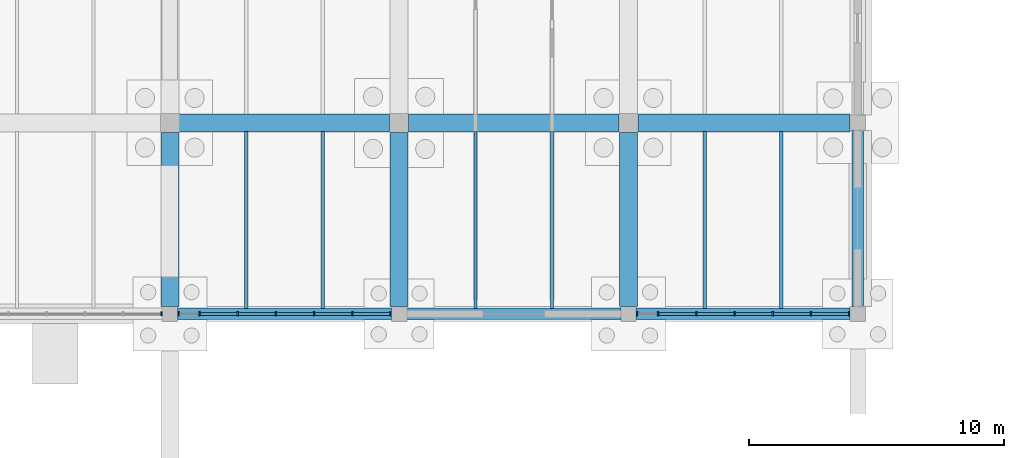
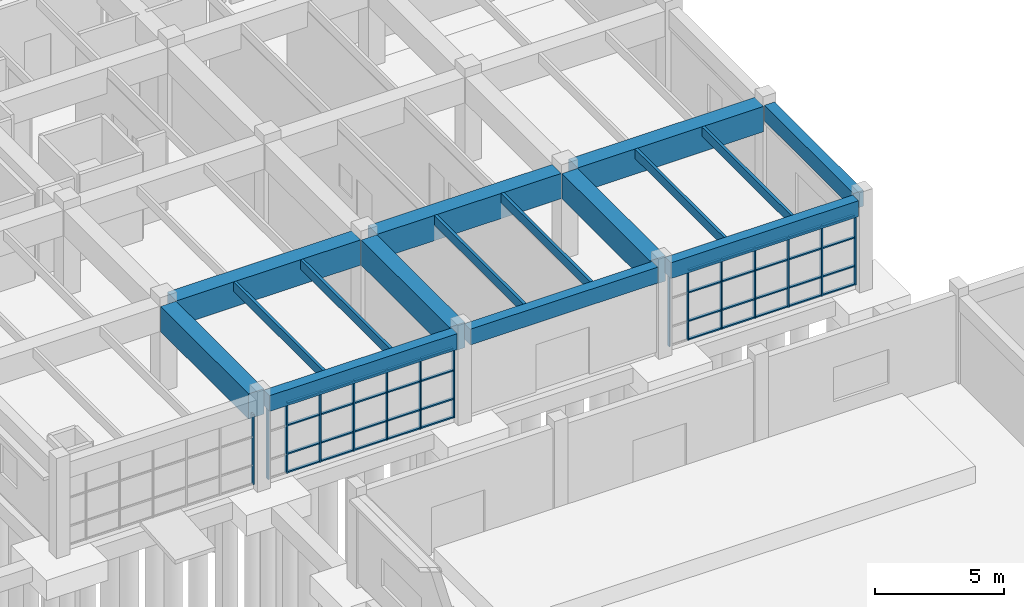
# One storey, part 25 of 93: 55 members, 16 beams, 3 elements without a shape of their own.
"""IFC4 building model written with IfcOpenShell, lengths in metres."""

from ifc_helpers import new_model, si_unit, direction, frame, origin, origin_2d, place, context, subcontext, project, spatial, rectangle, extrude, material, layer, layer_set, material_profile, profile_set, type_object, element, aggregate, save


model = new_model("IFC4")

# Units and contexts
model_context = context("Model", 3, precision=1e-05, world=origin(), true_north=direction((0.0, 1.0)))
body_context = subcontext(model_context, "Body", "Model", "MODEL_VIEW")
ifc_project = project(units=[si_unit("LENGTHUNIT", "METRE"), si_unit("AREAUNIT", "SQUARE_METRE"), si_unit("VOLUMEUNIT", "CUBIC_METRE"), si_unit("PLANEANGLEUNIT", "RADIAN"), si_unit("MASSUNIT", "GRAM", prefix="KILO")], contexts=[model_context])

# Site, building, storey
site_placement = place(None, origin())
site = spatial("IfcSite", under=ifc_project, at=site_placement, CompositionType="ELEMENT")
building_placement = place(site_placement, origin())
building = spatial("IfcBuilding", under=site, at=building_placement, Name="Marnridge Secondary College", CompositionType="ELEMENT")
storey_placement = place(building_placement, origin())
storey = spatial("IfcBuildingStorey", under=building, at=storey_placement, Name="L00", CompositionType="ELEMENT", Elevation=0.0)

# Beams
ifc_material_1 = material(Name="Engineered timber LVL E13.2", Category="wood")
ifc_material_profile_1 = material_profile(ifc_material_1, rectangle(XDim=0.1259765625, YDim=0.449951171875, at=origin_2d()), Name="LVL 126x450")
ifc_profile_set_1 = profile_set([ifc_material_profile_1], Name="Engineered timber LVL E13.2")
beam_type_1 = type_object("IfcBeamType", Name="BM-LVL450-INT", PredefinedType="JOIST", material=ifc_profile_set_1)
for number, where, z_axis, x_axis, name in (
    (1, (66.0, 37.718994140625, 3.85498046875), (0.0, 1.0, 0.0), (-1.0, 0.0, 0.0), "Beam BJ-L00-0103"),
    (2, (69.0, 37.718994140625, 3.85498046875), (0.0, 1.0, 0.0), (-1.0, 0.0, 0.0), "Beam BJ-L00-0104"),
    (3, (75.0, 37.718994140625, 3.85498046875), (0.0, 1.0, 0.0), (-1.0, 0.0, 0.0), "Beam BJ-L00-0114"),
    (4, (78.0, 37.718994140625, 3.85498046875), (0.0, 1.0, 0.0), (-1.0, 0.0, 0.0), "Beam BJ-L00-0115"),
    (5, (84.0, 37.718994140625, 3.85498046875), (0.0, 1.0, 0.0), (-1.0, 0.0, 0.0), "Beam BJ-L00-0126"),
    (6, (87.0, 37.718994140625, 3.85498046875), (0.0, 1.0, 0.0), (-1.0, 0.0, 0.0), "Beam BJ-L00-0127"),
):
    element("IfcBeam", number, at=place(storey_placement, frame(where, z_axis=z_axis, x_axis=x_axis)), inside=storey, type_object=beam_type_1, Name=name, PredefinedType="JOIST", context=body_context, shape_type="SweptSolid", body=[
        extrude(rectangle(XDim=0.1259765625, YDim=0.449951171875, at=origin_2d()), origin(), (0.0, 0.0, 1.0), 6.93701171875),
    ])
ifc_material_2 = material(Name="Concrete C40/50 (AS 3600 N40, 40 MPa)", Category="concrete")
ifc_material_profile_2 = material_profile(ifc_material_2, rectangle(XDim=0.449951171875, YDim=0.75, at=origin_2d()), Name="RC 450x750")
ifc_profile_set_2 = profile_set([ifc_material_profile_2], Name="Concrete C40/50 (AS 3600 N40, 40 MPa)")
beam_type_2 = type_object("IfcBeamType", Name="BM-RC4575-EXT", PredefinedType="SPANDREL", material=ifc_profile_set_2)
for number, where, z_axis, x_axis, name in (
    (7, (63.2939453125, 37.5, 3.705078125), (1.0, 0.0, 0.0), (0.0, 1.0, 0.0), "Beam BS-L00-0054"),
    (8, (72.2939453125, 37.5, 3.705078125), (1.0, 0.0, 0.0), (0.0, 1.0, 0.0), "Beam BS-L00-0067"),
    (9, (81.2939453125, 37.5, 3.705078125), (1.0, 0.0, 0.0), (0.0, 1.0, 0.0), "Beam BS-L00-0080"),
):
    element("IfcBeam", number, at=place(storey_placement, frame(where, z_axis=z_axis, x_axis=x_axis)), inside=storey, type_object=beam_type_2, Name=name, PredefinedType="SPANDREL", context=body_context, shape_type="SweptSolid", body=[
        extrude(rectangle(XDim=0.449951171875, YDim=0.75, at=origin_2d()), origin(), (0.0, 0.0, 1.0), 8.412109375),
    ])
beam_1_placement = place(storey_placement, frame((90.0, 37.7939453125, 3.705078125), z_axis=(0.0, 1.0, 0.0), x_axis=(-1.0, 0.0, 0.0)))
element("IfcBeam", 10, at=beam_1_placement, inside=storey, type_object=beam_type_2, Name="Beam BS-L00-0082", PredefinedType="SPANDREL", context=body_context, shape_type="SweptSolid", body=[
    extrude(rectangle(XDim=0.449951171875, YDim=0.75, at=origin_2d()), origin(), (0.0, 0.0, 1.0), 6.912109375),
])
ifc_material_3 = material(Name="Concrete C50/60 (AS 3600 N50, 50 MPa)", Category="concrete")
ifc_material_profile_3 = material_profile(ifc_material_3, rectangle(XDim=0.699951171875, YDim=1.199951171875, at=origin_2d()), Name="RC 700x1200")
ifc_profile_set_3 = profile_set([ifc_material_profile_3], Name="Concrete C50/60 (AS 3600 N50, 50 MPa)")
beam_type_3 = type_object("IfcBeamType", Name="BM-RC7012-INT", PredefinedType="BEAM", material=ifc_profile_set_3)
beam_2_placement = place(storey_placement, frame((63.0, 37.7939453125, 3.47998046875), z_axis=(0.0, 1.0, 0.0), x_axis=(-1.0, 0.0, 0.0)))
element("IfcBeam", 11, at=beam_2_placement, inside=storey, type_object=beam_type_3, Name="Beam B-L00-0038", PredefinedType="BEAM", context=body_context, shape_type="SweptSolid", body=[
    extrude(rectangle(XDim=0.699951171875, YDim=1.199951171875, at=origin_2d()), origin(), (0.0, 0.0, 1.0), 6.837158203125),
])
beam_3_placement = place(storey_placement, frame((63.368896484375, 45.0, 3.47998046875), z_axis=(1.0, 0.0, 0.0), x_axis=(0.0, 1.0, 0.0)))
element("IfcBeam", 12, at=beam_3_placement, inside=storey, type_object=beam_type_3, Name="Beam B-L00-0055", PredefinedType="BEAM", context=body_context, shape_type="SweptSolid", body=[
    extrude(rectangle(XDim=0.699951171875, YDim=1.199951171875, at=origin_2d()), origin(), (0.0, 0.0, 1.0), 8.26220703125),
])
beam_4_placement = place(storey_placement, frame((72.0, 37.7939453125, 3.47998046875), z_axis=(0.0, 1.0, 0.0), x_axis=(-1.0, 0.0, 0.0)))
element("IfcBeam", 13, at=beam_4_placement, inside=storey, type_object=beam_type_3, Name="Beam B-L00-0056", PredefinedType="BEAM", context=body_context, shape_type="SweptSolid", body=[
    extrude(rectangle(XDim=0.699951171875, YDim=1.199951171875, at=origin_2d()), origin(), (0.0, 0.0, 1.0), 6.837158203125),
])
beam_5_placement = place(storey_placement, frame((72.368896484375, 45.0, 3.47998046875), z_axis=(1.0, 0.0, 0.0), x_axis=(0.0, 1.0, 0.0)))
element("IfcBeam", 14, at=beam_5_placement, inside=storey, type_object=beam_type_3, Name="Beam B-L00-0068", PredefinedType="BEAM", context=body_context, shape_type="SweptSolid", body=[
    extrude(rectangle(XDim=0.699951171875, YDim=1.199951171875, at=origin_2d()), origin(), (0.0, 0.0, 1.0), 8.26220703125),
])
beam_6_placement = place(storey_placement, frame((81.0, 37.7939453125, 3.47998046875), z_axis=(0.0, 1.0, 0.0), x_axis=(-1.0, 0.0, 0.0)))
element("IfcBeam", 15, at=beam_6_placement, inside=storey, type_object=beam_type_3, Name="Beam B-L00-0069", PredefinedType="BEAM", context=body_context, shape_type="SweptSolid", body=[
    extrude(rectangle(XDim=0.699951171875, YDim=1.199951171875, at=origin_2d()), origin(), (0.0, 0.0, 1.0), 6.837158203125),
])
beam_7_placement = place(storey_placement, frame((81.368896484375, 45.0, 3.47998046875), z_axis=(1.0, 0.0, 0.0), x_axis=(0.0, 1.0, 0.0)))
element("IfcBeam", 16, at=beam_7_placement, inside=storey, type_object=beam_type_3, Name="Beam B-L00-0081", PredefinedType="BEAM", context=body_context, shape_type="SweptSolid", body=[
    extrude(rectangle(XDim=0.699951171875, YDim=1.199951171875, at=origin_2d()), origin(), (0.0, 0.0, 1.0), 8.337158203125),
])

# Curtain wall, members
ifc_material_4 = material(Name="Thermally broken aluminium and low-E glazing", Category="aluminium")
ifc_layer = layer(ifc_material_4, 0.159912109375)
ifc_layer_set = layer_set([ifc_layer], Name="CW-MOD-1500")
curtain_wall_type = type_object("IfcCurtainWallType", Name="CW-MOD-1500", PredefinedType="NOTDEFINED", material=ifc_layer_set)
curtain_wall_1_placement = place(storey_placement, origin())
curtain_wall_1 = element("IfcCurtainWall", 17, at=curtain_wall_1_placement, inside=storey, type_object=curtain_wall_type, Name="Unitised curtain wall CW-L00-004", PredefinedType="NOTDEFINED")
ifc_material_5 = material(Name="Anodised aluminium 6063-T6", Category="aluminium")
ifc_material_profile_4 = material_profile(ifc_material_5, rectangle(XDim=0.06005859375, YDim=0.159912109375, at=origin_2d()), Name="ALU 60x160")
ifc_profile_set_4 = profile_set([ifc_material_profile_4], Name="Anodised aluminium 6063-T6")
member_type_1 = type_object("IfcMemberType", Name="CWM-ALU160", PredefinedType="MULLION", material=ifc_profile_set_4)
member_1_placement = place(storey_placement, frame((89.666015625, 37.5, 0.0), z_axis=(0.0, 0.0, 1.0), x_axis=(-1.0, 0.0, 0.0)))
member_1 = element("IfcMember", 18, at=member_1_placement, type_object=member_type_1, Name="CW-L00-004 mullion 1", PredefinedType="MULLION", context=body_context, shape_type="SweptSolid", body=[
    extrude(rectangle(XDim=0.06005859375, YDim=0.159912109375, at=origin_2d()), origin(), (0.0, 0.0, 1.0), 3.322021484375),
])
member_2_placement = place(storey_placement, frame((88.166015625, 37.5, 0.0), z_axis=(0.0, 0.0, 1.0), x_axis=(-1.0, 0.0, 0.0)))
member_2 = element("IfcMember", 19, at=member_2_placement, type_object=member_type_1, Name="CW-L00-004 mullion 2", PredefinedType="MULLION", context=body_context, shape_type="SweptSolid", body=[
    extrude(rectangle(XDim=0.06005859375, YDim=0.159912109375, at=origin_2d()), origin(), (0.0, 0.0, 1.0), 3.322021484375),
])
member_3_placement = place(storey_placement, frame((86.666015625, 37.5, 0.0), z_axis=(0.0, 0.0, 1.0), x_axis=(-1.0, 0.0, 0.0)))
member_3 = element("IfcMember", 20, at=member_3_placement, type_object=member_type_1, Name="CW-L00-004 mullion 3", PredefinedType="MULLION", context=body_context, shape_type="SweptSolid", body=[
    extrude(rectangle(XDim=0.06005859375, YDim=0.159912109375, at=origin_2d()), origin(), (0.0, 0.0, 1.0), 3.322021484375),
])
member_4_placement = place(storey_placement, frame((85.166015625, 37.5, 0.0), z_axis=(0.0, 0.0, 1.0), x_axis=(-1.0, 0.0, 0.0)))
member_4 = element("IfcMember", 21, at=member_4_placement, type_object=member_type_1, Name="CW-L00-004 mullion 4", PredefinedType="MULLION", context=body_context, shape_type="SweptSolid", body=[
    extrude(rectangle(XDim=0.06005859375, YDim=0.159912109375, at=origin_2d()), origin(), (0.0, 0.0, 1.0), 3.322021484375),
])
member_5_placement = place(storey_placement, frame((83.666015625, 37.5, 0.0), z_axis=(0.0, 0.0, 1.0), x_axis=(-1.0, 0.0, 0.0)))
member_5 = element("IfcMember", 22, at=member_5_placement, type_object=member_type_1, Name="CW-L00-004 mullion 5", PredefinedType="MULLION", context=body_context, shape_type="SweptSolid", body=[
    extrude(rectangle(XDim=0.06005859375, YDim=0.159912109375, at=origin_2d()), origin(), (0.0, 0.0, 1.0), 3.322021484375),
])
member_6_placement = place(storey_placement, frame((82.166015625, 37.5, 0.0), z_axis=(0.0, 0.0, 1.0), x_axis=(-1.0, 0.0, 0.0)))
member_6 = element("IfcMember", 23, at=member_6_placement, type_object=member_type_1, Name="CW-L00-004 mullion 6", PredefinedType="MULLION", context=body_context, shape_type="SweptSolid", body=[
    extrude(rectangle(XDim=0.06005859375, YDim=0.159912109375, at=origin_2d()), origin(), (0.0, 0.0, 1.0), 3.322021484375),
])
member_7_placement = place(storey_placement, frame((81.333984375, 37.5, 0.0), z_axis=(0.0, 0.0, 1.0), x_axis=(-1.0, 0.0, 0.0)))
member_7 = element("IfcMember", 24, at=member_7_placement, type_object=member_type_1, Name="CW-L00-004 mullion 7", PredefinedType="MULLION", context=body_context, shape_type="SweptSolid", body=[
    extrude(rectangle(XDim=0.06005859375, YDim=0.159912109375, at=origin_2d()), origin(), (0.0, 0.0, 1.0), 3.322021484375),
])

curtain_wall_2_placement = place(storey_placement, origin())
curtain_wall_2 = element("IfcCurtainWall", 25, at=curtain_wall_2_placement, inside=storey, type_object=curtain_wall_type, Name="Unitised curtain wall CW-L00-005", PredefinedType="NOTDEFINED")
member_8_placement = place(storey_placement, frame((71.666015625, 37.5, 0.0), z_axis=(0.0, 0.0, 1.0), x_axis=(-1.0, 0.0, 0.0)))
member_8 = element("IfcMember", 26, at=member_8_placement, type_object=member_type_1, Name="CW-L00-005 mullion 1", PredefinedType="MULLION", context=body_context, shape_type="SweptSolid", body=[
    extrude(rectangle(XDim=0.06005859375, YDim=0.159912109375, at=origin_2d()), origin(), (0.0, 0.0, 1.0), 3.322021484375),
])
member_9_placement = place(storey_placement, frame((70.166015625, 37.5, 0.0), z_axis=(0.0, 0.0, 1.0), x_axis=(-1.0, 0.0, 0.0)))
member_9 = element("IfcMember", 27, at=member_9_placement, type_object=member_type_1, Name="CW-L00-005 mullion 2", PredefinedType="MULLION", context=body_context, shape_type="SweptSolid", body=[
    extrude(rectangle(XDim=0.06005859375, YDim=0.159912109375, at=origin_2d()), origin(), (0.0, 0.0, 1.0), 3.322021484375),
])
member_10_placement = place(storey_placement, frame((68.666015625, 37.5, 0.0), z_axis=(0.0, 0.0, 1.0), x_axis=(-1.0, 0.0, 0.0)))
member_10 = element("IfcMember", 28, at=member_10_placement, type_object=member_type_1, Name="CW-L00-005 mullion 3", PredefinedType="MULLION", context=body_context, shape_type="SweptSolid", body=[
    extrude(rectangle(XDim=0.06005859375, YDim=0.159912109375, at=origin_2d()), origin(), (0.0, 0.0, 1.0), 3.322021484375),
])
member_11_placement = place(storey_placement, frame((67.166015625, 37.5, 0.0), z_axis=(0.0, 0.0, 1.0), x_axis=(-1.0, 0.0, 0.0)))
member_11 = element("IfcMember", 29, at=member_11_placement, type_object=member_type_1, Name="CW-L00-005 mullion 4", PredefinedType="MULLION", context=body_context, shape_type="SweptSolid", body=[
    extrude(rectangle(XDim=0.06005859375, YDim=0.159912109375, at=origin_2d()), origin(), (0.0, 0.0, 1.0), 3.322021484375),
])
member_12_placement = place(storey_placement, frame((65.666015625, 37.5, 0.0), z_axis=(0.0, 0.0, 1.0), x_axis=(-1.0, 0.0, 0.0)))
member_12 = element("IfcMember", 30, at=member_12_placement, type_object=member_type_1, Name="CW-L00-005 mullion 5", PredefinedType="MULLION", context=body_context, shape_type="SweptSolid", body=[
    extrude(rectangle(XDim=0.06005859375, YDim=0.159912109375, at=origin_2d()), origin(), (0.0, 0.0, 1.0), 3.322021484375),
])
member_13_placement = place(storey_placement, frame((64.166015625, 37.5, 0.0), z_axis=(0.0, 0.0, 1.0), x_axis=(-1.0, 0.0, 0.0)))
member_13 = element("IfcMember", 31, at=member_13_placement, type_object=member_type_1, Name="CW-L00-005 mullion 6", PredefinedType="MULLION", context=body_context, shape_type="SweptSolid", body=[
    extrude(rectangle(XDim=0.06005859375, YDim=0.159912109375, at=origin_2d()), origin(), (0.0, 0.0, 1.0), 3.322021484375),
])
member_14_placement = place(storey_placement, frame((63.333984375, 37.5, 0.0), z_axis=(0.0, 0.0, 1.0), x_axis=(-1.0, 0.0, 0.0)))
member_14 = element("IfcMember", 32, at=member_14_placement, type_object=member_type_1, Name="CW-L00-005 mullion 7", PredefinedType="MULLION", context=body_context, shape_type="SweptSolid", body=[
    extrude(rectangle(XDim=0.06005859375, YDim=0.159912109375, at=origin_2d()), origin(), (0.0, 0.0, 1.0), 3.322021484375),
])

# Curtain wall, member
curtain_wall_3_placement = place(storey_placement, origin())
curtain_wall_3 = element("IfcCurtainWall", 33, at=curtain_wall_3_placement, inside=storey, type_object=curtain_wall_type, Name="Unitised curtain wall CW-L00-006", PredefinedType="NOTDEFINED")
member_15_placement = place(storey_placement, frame((62.666015625, 37.5, 0.0), z_axis=(0.0, 0.0, 1.0), x_axis=(-1.0, 0.0, 0.0)))
member_15 = element("IfcMember", 34, at=member_15_placement, type_object=member_type_1, Name="CW-L00-006 mullion 1", PredefinedType="MULLION", context=body_context, shape_type="SweptSolid", body=[
    extrude(rectangle(XDim=0.06005859375, YDim=0.159912109375, at=origin_2d()), origin(), (0.0, 0.0, 1.0), 3.322021484375),
])
aggregate(curtain_wall_3, [member_15])

# Member
ifc_material_6 = material(Name="Anodised aluminium 6063-T6", Category="aluminium")
ifc_material_profile_5 = material_profile(ifc_material_6, rectangle(XDim=0.06005859375, YDim=0.1201171875, at=origin_2d()), Name="ALU 60x120")
ifc_profile_set_5 = profile_set([ifc_material_profile_5], Name="Anodised aluminium 6063-T6")
member_type_2 = type_object("IfcMemberType", Name="CWT-ALU120", PredefinedType="USERDEFINED", material=ifc_profile_set_5)
member_16_placement = place(storey_placement, frame((89.635986328125, 37.5, 0.030029296875), z_axis=(-1.0, 0.0, 0.0), x_axis=(0.0, 0.0, 1.0)))
member_16 = element("IfcMember", 35, at=member_16_placement, type_object=member_type_2, Name="CW-L00-004 transom 1.1", ObjectType="TRANSOM", PredefinedType="USERDEFINED", context=body_context, shape_type="SweptSolid", body=[
    extrude(rectangle(XDim=0.06005859375, YDim=0.1201171875, at=origin_2d()), origin(), (0.0, 0.0, 1.0), 1.43994140625),
])

member_17_placement = place(storey_placement, frame((89.635986328125, 37.5, 0.89990234375), z_axis=(-1.0, 0.0, 0.0), x_axis=(0.0, 0.0, 1.0)))
member_17 = element("IfcMember", 36, at=member_17_placement, type_object=member_type_2, Name="CW-L00-004 transom 1.2", ObjectType="TRANSOM", PredefinedType="USERDEFINED", context=body_context, shape_type="SweptSolid", body=[
    extrude(rectangle(XDim=0.06005859375, YDim=0.1201171875, at=origin_2d()), origin(), (0.0, 0.0, 1.0), 1.43994140625),
])

member_18_placement = place(storey_placement, frame((89.635986328125, 37.5, 2.25), z_axis=(-1.0, 0.0, 0.0), x_axis=(0.0, 0.0, 1.0)))
member_18 = element("IfcMember", 37, at=member_18_placement, type_object=member_type_2, Name="CW-L00-004 transom 1.3", ObjectType="TRANSOM", PredefinedType="USERDEFINED", context=body_context, shape_type="SweptSolid", body=[
    extrude(rectangle(XDim=0.06005859375, YDim=0.1201171875, at=origin_2d()), origin(), (0.0, 0.0, 1.0), 1.43994140625),
])

member_19_placement = place(storey_placement, frame((89.635986328125, 37.5, 3.2919921875), z_axis=(-1.0, 0.0, 0.0), x_axis=(0.0, 0.0, 1.0)))
member_19 = element("IfcMember", 38, at=member_19_placement, type_object=member_type_2, Name="CW-L00-004 transom 1.4", ObjectType="TRANSOM", PredefinedType="USERDEFINED", context=body_context, shape_type="SweptSolid", body=[
    extrude(rectangle(XDim=0.06005859375, YDim=0.1201171875, at=origin_2d()), origin(), (0.0, 0.0, 1.0), 1.43994140625),
])

member_20_placement = place(storey_placement, frame((88.135986328125, 37.5, 0.030029296875), z_axis=(-1.0, 0.0, 0.0), x_axis=(0.0, 0.0, 1.0)))
member_20 = element("IfcMember", 39, at=member_20_placement, type_object=member_type_2, Name="CW-L00-004 transom 2.1", ObjectType="TRANSOM", PredefinedType="USERDEFINED", context=body_context, shape_type="SweptSolid", body=[
    extrude(rectangle(XDim=0.06005859375, YDim=0.1201171875, at=origin_2d()), origin(), (0.0, 0.0, 1.0), 1.43994140625),
])

member_21_placement = place(storey_placement, frame((88.135986328125, 37.5, 0.89990234375), z_axis=(-1.0, 0.0, 0.0), x_axis=(0.0, 0.0, 1.0)))
member_21 = element("IfcMember", 40, at=member_21_placement, type_object=member_type_2, Name="CW-L00-004 transom 2.2", ObjectType="TRANSOM", PredefinedType="USERDEFINED", context=body_context, shape_type="SweptSolid", body=[
    extrude(rectangle(XDim=0.06005859375, YDim=0.1201171875, at=origin_2d()), origin(), (0.0, 0.0, 1.0), 1.43994140625),
])

member_22_placement = place(storey_placement, frame((88.135986328125, 37.5, 2.25), z_axis=(-1.0, 0.0, 0.0), x_axis=(0.0, 0.0, 1.0)))
member_22 = element("IfcMember", 41, at=member_22_placement, type_object=member_type_2, Name="CW-L00-004 transom 2.3", ObjectType="TRANSOM", PredefinedType="USERDEFINED", context=body_context, shape_type="SweptSolid", body=[
    extrude(rectangle(XDim=0.06005859375, YDim=0.1201171875, at=origin_2d()), origin(), (0.0, 0.0, 1.0), 1.43994140625),
])

member_23_placement = place(storey_placement, frame((88.135986328125, 37.5, 3.2919921875), z_axis=(-1.0, 0.0, 0.0), x_axis=(0.0, 0.0, 1.0)))
member_23 = element("IfcMember", 42, at=member_23_placement, type_object=member_type_2, Name="CW-L00-004 transom 2.4", ObjectType="TRANSOM", PredefinedType="USERDEFINED", context=body_context, shape_type="SweptSolid", body=[
    extrude(rectangle(XDim=0.06005859375, YDim=0.1201171875, at=origin_2d()), origin(), (0.0, 0.0, 1.0), 1.43994140625),
])

member_24_placement = place(storey_placement, frame((86.635986328125, 37.5, 0.030029296875), z_axis=(-1.0, 0.0, 0.0), x_axis=(0.0, 0.0, 1.0)))
member_24 = element("IfcMember", 43, at=member_24_placement, type_object=member_type_2, Name="CW-L00-004 transom 3.1", ObjectType="TRANSOM", PredefinedType="USERDEFINED", context=body_context, shape_type="SweptSolid", body=[
    extrude(rectangle(XDim=0.06005859375, YDim=0.1201171875, at=origin_2d()), origin(), (0.0, 0.0, 1.0), 1.43994140625),
])

member_25_placement = place(storey_placement, frame((86.635986328125, 37.5, 0.89990234375), z_axis=(-1.0, 0.0, 0.0), x_axis=(0.0, 0.0, 1.0)))
member_25 = element("IfcMember", 44, at=member_25_placement, type_object=member_type_2, Name="CW-L00-004 transom 3.2", ObjectType="TRANSOM", PredefinedType="USERDEFINED", context=body_context, shape_type="SweptSolid", body=[
    extrude(rectangle(XDim=0.06005859375, YDim=0.1201171875, at=origin_2d()), origin(), (0.0, 0.0, 1.0), 1.43994140625),
])

member_26_placement = place(storey_placement, frame((86.635986328125, 37.5, 2.25), z_axis=(-1.0, 0.0, 0.0), x_axis=(0.0, 0.0, 1.0)))
member_26 = element("IfcMember", 45, at=member_26_placement, type_object=member_type_2, Name="CW-L00-004 transom 3.3", ObjectType="TRANSOM", PredefinedType="USERDEFINED", context=body_context, shape_type="SweptSolid", body=[
    extrude(rectangle(XDim=0.06005859375, YDim=0.1201171875, at=origin_2d()), origin(), (0.0, 0.0, 1.0), 1.43994140625),
])

member_27_placement = place(storey_placement, frame((86.635986328125, 37.5, 3.2919921875), z_axis=(-1.0, 0.0, 0.0), x_axis=(0.0, 0.0, 1.0)))
member_27 = element("IfcMember", 46, at=member_27_placement, type_object=member_type_2, Name="CW-L00-004 transom 3.4", ObjectType="TRANSOM", PredefinedType="USERDEFINED", context=body_context, shape_type="SweptSolid", body=[
    extrude(rectangle(XDim=0.06005859375, YDim=0.1201171875, at=origin_2d()), origin(), (0.0, 0.0, 1.0), 1.43994140625),
])

member_28_placement = place(storey_placement, frame((85.135986328125, 37.5, 0.030029296875), z_axis=(-1.0, 0.0, 0.0), x_axis=(0.0, 0.0, 1.0)))
member_28 = element("IfcMember", 47, at=member_28_placement, type_object=member_type_2, Name="CW-L00-004 transom 4.1", ObjectType="TRANSOM", PredefinedType="USERDEFINED", context=body_context, shape_type="SweptSolid", body=[
    extrude(rectangle(XDim=0.06005859375, YDim=0.1201171875, at=origin_2d()), origin(), (0.0, 0.0, 1.0), 1.43994140625),
])

member_29_placement = place(storey_placement, frame((85.135986328125, 37.5, 0.89990234375), z_axis=(-1.0, 0.0, 0.0), x_axis=(0.0, 0.0, 1.0)))
member_29 = element("IfcMember", 48, at=member_29_placement, type_object=member_type_2, Name="CW-L00-004 transom 4.2", ObjectType="TRANSOM", PredefinedType="USERDEFINED", context=body_context, shape_type="SweptSolid", body=[
    extrude(rectangle(XDim=0.06005859375, YDim=0.1201171875, at=origin_2d()), origin(), (0.0, 0.0, 1.0), 1.43994140625),
])

member_30_placement = place(storey_placement, frame((85.135986328125, 37.5, 2.25), z_axis=(-1.0, 0.0, 0.0), x_axis=(0.0, 0.0, 1.0)))
member_30 = element("IfcMember", 49, at=member_30_placement, type_object=member_type_2, Name="CW-L00-004 transom 4.3", ObjectType="TRANSOM", PredefinedType="USERDEFINED", context=body_context, shape_type="SweptSolid", body=[
    extrude(rectangle(XDim=0.06005859375, YDim=0.1201171875, at=origin_2d()), origin(), (0.0, 0.0, 1.0), 1.43994140625),
])

member_31_placement = place(storey_placement, frame((85.135986328125, 37.5, 3.2919921875), z_axis=(-1.0, 0.0, 0.0), x_axis=(0.0, 0.0, 1.0)))
member_31 = element("IfcMember", 50, at=member_31_placement, type_object=member_type_2, Name="CW-L00-004 transom 4.4", ObjectType="TRANSOM", PredefinedType="USERDEFINED", context=body_context, shape_type="SweptSolid", body=[
    extrude(rectangle(XDim=0.06005859375, YDim=0.1201171875, at=origin_2d()), origin(), (0.0, 0.0, 1.0), 1.43994140625),
])

member_32_placement = place(storey_placement, frame((83.635986328125, 37.5, 0.030029296875), z_axis=(-1.0, 0.0, 0.0), x_axis=(0.0, 0.0, 1.0)))
member_32 = element("IfcMember", 51, at=member_32_placement, type_object=member_type_2, Name="CW-L00-004 transom 5.1", ObjectType="TRANSOM", PredefinedType="USERDEFINED", context=body_context, shape_type="SweptSolid", body=[
    extrude(rectangle(XDim=0.06005859375, YDim=0.1201171875, at=origin_2d()), origin(), (0.0, 0.0, 1.0), 1.43994140625),
])

member_33_placement = place(storey_placement, frame((83.635986328125, 37.5, 0.89990234375), z_axis=(-1.0, 0.0, 0.0), x_axis=(0.0, 0.0, 1.0)))
member_33 = element("IfcMember", 52, at=member_33_placement, type_object=member_type_2, Name="CW-L00-004 transom 5.2", ObjectType="TRANSOM", PredefinedType="USERDEFINED", context=body_context, shape_type="SweptSolid", body=[
    extrude(rectangle(XDim=0.06005859375, YDim=0.1201171875, at=origin_2d()), origin(), (0.0, 0.0, 1.0), 1.43994140625),
])

member_34_placement = place(storey_placement, frame((83.635986328125, 37.5, 2.25), z_axis=(-1.0, 0.0, 0.0), x_axis=(0.0, 0.0, 1.0)))
member_34 = element("IfcMember", 53, at=member_34_placement, type_object=member_type_2, Name="CW-L00-004 transom 5.3", ObjectType="TRANSOM", PredefinedType="USERDEFINED", context=body_context, shape_type="SweptSolid", body=[
    extrude(rectangle(XDim=0.06005859375, YDim=0.1201171875, at=origin_2d()), origin(), (0.0, 0.0, 1.0), 1.43994140625),
])

member_35_placement = place(storey_placement, frame((83.635986328125, 37.5, 3.2919921875), z_axis=(-1.0, 0.0, 0.0), x_axis=(0.0, 0.0, 1.0)))
member_35 = element("IfcMember", 54, at=member_35_placement, type_object=member_type_2, Name="CW-L00-004 transom 5.4", ObjectType="TRANSOM", PredefinedType="USERDEFINED", context=body_context, shape_type="SweptSolid", body=[
    extrude(rectangle(XDim=0.06005859375, YDim=0.1201171875, at=origin_2d()), origin(), (0.0, 0.0, 1.0), 1.43994140625),
])

aggregate(curtain_wall_1, [member_1, member_2, member_3, member_4, member_5, member_6, member_7, member_16, member_17, member_18, member_19, member_20, member_21, member_22, member_23, member_24, member_25, member_26, member_27, member_28, member_29, member_30, member_31, member_32, member_33, member_34, member_35])

member_36_placement = place(storey_placement, frame((71.635986328125, 37.5, 0.030029296875), z_axis=(-1.0, 0.0, 0.0), x_axis=(0.0, 0.0, 1.0)))
member_36 = element("IfcMember", 55, at=member_36_placement, type_object=member_type_2, Name="CW-L00-005 transom 1.1", ObjectType="TRANSOM", PredefinedType="USERDEFINED", context=body_context, shape_type="SweptSolid", body=[
    extrude(rectangle(XDim=0.06005859375, YDim=0.1201171875, at=origin_2d()), origin(), (0.0, 0.0, 1.0), 1.43994140625),
])

member_37_placement = place(storey_placement, frame((71.635986328125, 37.5, 0.89990234375), z_axis=(-1.0, 0.0, 0.0), x_axis=(0.0, 0.0, 1.0)))
member_37 = element("IfcMember", 56, at=member_37_placement, type_object=member_type_2, Name="CW-L00-005 transom 1.2", ObjectType="TRANSOM", PredefinedType="USERDEFINED", context=body_context, shape_type="SweptSolid", body=[
    extrude(rectangle(XDim=0.06005859375, YDim=0.1201171875, at=origin_2d()), origin(), (0.0, 0.0, 1.0), 1.43994140625),
])

member_38_placement = place(storey_placement, frame((71.635986328125, 37.5, 2.25), z_axis=(-1.0, 0.0, 0.0), x_axis=(0.0, 0.0, 1.0)))
member_38 = element("IfcMember", 57, at=member_38_placement, type_object=member_type_2, Name="CW-L00-005 transom 1.3", ObjectType="TRANSOM", PredefinedType="USERDEFINED", context=body_context, shape_type="SweptSolid", body=[
    extrude(rectangle(XDim=0.06005859375, YDim=0.1201171875, at=origin_2d()), origin(), (0.0, 0.0, 1.0), 1.43994140625),
])

member_39_placement = place(storey_placement, frame((71.635986328125, 37.5, 3.2919921875), z_axis=(-1.0, 0.0, 0.0), x_axis=(0.0, 0.0, 1.0)))
member_39 = element("IfcMember", 58, at=member_39_placement, type_object=member_type_2, Name="CW-L00-005 transom 1.4", ObjectType="TRANSOM", PredefinedType="USERDEFINED", context=body_context, shape_type="SweptSolid", body=[
    extrude(rectangle(XDim=0.06005859375, YDim=0.1201171875, at=origin_2d()), origin(), (0.0, 0.0, 1.0), 1.43994140625),
])

member_40_placement = place(storey_placement, frame((70.135986328125, 37.5, 0.030029296875), z_axis=(-1.0, 0.0, 0.0), x_axis=(0.0, 0.0, 1.0)))
member_40 = element("IfcMember", 59, at=member_40_placement, type_object=member_type_2, Name="CW-L00-005 transom 2.1", ObjectType="TRANSOM", PredefinedType="USERDEFINED", context=body_context, shape_type="SweptSolid", body=[
    extrude(rectangle(XDim=0.06005859375, YDim=0.1201171875, at=origin_2d()), origin(), (0.0, 0.0, 1.0), 1.43994140625),
])

member_41_placement = place(storey_placement, frame((70.135986328125, 37.5, 0.89990234375), z_axis=(-1.0, 0.0, 0.0), x_axis=(0.0, 0.0, 1.0)))
member_41 = element("IfcMember", 60, at=member_41_placement, type_object=member_type_2, Name="CW-L00-005 transom 2.2", ObjectType="TRANSOM", PredefinedType="USERDEFINED", context=body_context, shape_type="SweptSolid", body=[
    extrude(rectangle(XDim=0.06005859375, YDim=0.1201171875, at=origin_2d()), origin(), (0.0, 0.0, 1.0), 1.43994140625),
])

member_42_placement = place(storey_placement, frame((70.135986328125, 37.5, 2.25), z_axis=(-1.0, 0.0, 0.0), x_axis=(0.0, 0.0, 1.0)))
member_42 = element("IfcMember", 61, at=member_42_placement, type_object=member_type_2, Name="CW-L00-005 transom 2.3", ObjectType="TRANSOM", PredefinedType="USERDEFINED", context=body_context, shape_type="SweptSolid", body=[
    extrude(rectangle(XDim=0.06005859375, YDim=0.1201171875, at=origin_2d()), origin(), (0.0, 0.0, 1.0), 1.43994140625),
])

member_43_placement = place(storey_placement, frame((70.135986328125, 37.5, 3.2919921875), z_axis=(-1.0, 0.0, 0.0), x_axis=(0.0, 0.0, 1.0)))
member_43 = element("IfcMember", 62, at=member_43_placement, type_object=member_type_2, Name="CW-L00-005 transom 2.4", ObjectType="TRANSOM", PredefinedType="USERDEFINED", context=body_context, shape_type="SweptSolid", body=[
    extrude(rectangle(XDim=0.06005859375, YDim=0.1201171875, at=origin_2d()), origin(), (0.0, 0.0, 1.0), 1.43994140625),
])

member_44_placement = place(storey_placement, frame((68.635986328125, 37.5, 0.030029296875), z_axis=(-1.0, 0.0, 0.0), x_axis=(0.0, 0.0, 1.0)))
member_44 = element("IfcMember", 63, at=member_44_placement, type_object=member_type_2, Name="CW-L00-005 transom 3.1", ObjectType="TRANSOM", PredefinedType="USERDEFINED", context=body_context, shape_type="SweptSolid", body=[
    extrude(rectangle(XDim=0.06005859375, YDim=0.1201171875, at=origin_2d()), origin(), (0.0, 0.0, 1.0), 1.43994140625),
])

member_45_placement = place(storey_placement, frame((68.635986328125, 37.5, 0.89990234375), z_axis=(-1.0, 0.0, 0.0), x_axis=(0.0, 0.0, 1.0)))
member_45 = element("IfcMember", 64, at=member_45_placement, type_object=member_type_2, Name="CW-L00-005 transom 3.2", ObjectType="TRANSOM", PredefinedType="USERDEFINED", context=body_context, shape_type="SweptSolid", body=[
    extrude(rectangle(XDim=0.06005859375, YDim=0.1201171875, at=origin_2d()), origin(), (0.0, 0.0, 1.0), 1.43994140625),
])

member_46_placement = place(storey_placement, frame((68.635986328125, 37.5, 2.25), z_axis=(-1.0, 0.0, 0.0), x_axis=(0.0, 0.0, 1.0)))
member_46 = element("IfcMember", 65, at=member_46_placement, type_object=member_type_2, Name="CW-L00-005 transom 3.3", ObjectType="TRANSOM", PredefinedType="USERDEFINED", context=body_context, shape_type="SweptSolid", body=[
    extrude(rectangle(XDim=0.06005859375, YDim=0.1201171875, at=origin_2d()), origin(), (0.0, 0.0, 1.0), 1.43994140625),
])

member_47_placement = place(storey_placement, frame((68.635986328125, 37.5, 3.2919921875), z_axis=(-1.0, 0.0, 0.0), x_axis=(0.0, 0.0, 1.0)))
member_47 = element("IfcMember", 66, at=member_47_placement, type_object=member_type_2, Name="CW-L00-005 transom 3.4", ObjectType="TRANSOM", PredefinedType="USERDEFINED", context=body_context, shape_type="SweptSolid", body=[
    extrude(rectangle(XDim=0.06005859375, YDim=0.1201171875, at=origin_2d()), origin(), (0.0, 0.0, 1.0), 1.43994140625),
])

member_48_placement = place(storey_placement, frame((67.135986328125, 37.5, 0.030029296875), z_axis=(-1.0, 0.0, 0.0), x_axis=(0.0, 0.0, 1.0)))
member_48 = element("IfcMember", 67, at=member_48_placement, type_object=member_type_2, Name="CW-L00-005 transom 4.1", ObjectType="TRANSOM", PredefinedType="USERDEFINED", context=body_context, shape_type="SweptSolid", body=[
    extrude(rectangle(XDim=0.06005859375, YDim=0.1201171875, at=origin_2d()), origin(), (0.0, 0.0, 1.0), 1.43994140625),
])

member_49_placement = place(storey_placement, frame((67.135986328125, 37.5, 0.89990234375), z_axis=(-1.0, 0.0, 0.0), x_axis=(0.0, 0.0, 1.0)))
member_49 = element("IfcMember", 68, at=member_49_placement, type_object=member_type_2, Name="CW-L00-005 transom 4.2", ObjectType="TRANSOM", PredefinedType="USERDEFINED", context=body_context, shape_type="SweptSolid", body=[
    extrude(rectangle(XDim=0.06005859375, YDim=0.1201171875, at=origin_2d()), origin(), (0.0, 0.0, 1.0), 1.43994140625),
])

member_50_placement = place(storey_placement, frame((67.135986328125, 37.5, 2.25), z_axis=(-1.0, 0.0, 0.0), x_axis=(0.0, 0.0, 1.0)))
member_50 = element("IfcMember", 69, at=member_50_placement, type_object=member_type_2, Name="CW-L00-005 transom 4.3", ObjectType="TRANSOM", PredefinedType="USERDEFINED", context=body_context, shape_type="SweptSolid", body=[
    extrude(rectangle(XDim=0.06005859375, YDim=0.1201171875, at=origin_2d()), origin(), (0.0, 0.0, 1.0), 1.43994140625),
])

member_51_placement = place(storey_placement, frame((67.135986328125, 37.5, 3.2919921875), z_axis=(-1.0, 0.0, 0.0), x_axis=(0.0, 0.0, 1.0)))
member_51 = element("IfcMember", 70, at=member_51_placement, type_object=member_type_2, Name="CW-L00-005 transom 4.4", ObjectType="TRANSOM", PredefinedType="USERDEFINED", context=body_context, shape_type="SweptSolid", body=[
    extrude(rectangle(XDim=0.06005859375, YDim=0.1201171875, at=origin_2d()), origin(), (0.0, 0.0, 1.0), 1.43994140625),
])

member_52_placement = place(storey_placement, frame((65.635986328125, 37.5, 0.030029296875), z_axis=(-1.0, 0.0, 0.0), x_axis=(0.0, 0.0, 1.0)))
member_52 = element("IfcMember", 71, at=member_52_placement, type_object=member_type_2, Name="CW-L00-005 transom 5.1", ObjectType="TRANSOM", PredefinedType="USERDEFINED", context=body_context, shape_type="SweptSolid", body=[
    extrude(rectangle(XDim=0.06005859375, YDim=0.1201171875, at=origin_2d()), origin(), (0.0, 0.0, 1.0), 1.43994140625),
])

member_53_placement = place(storey_placement, frame((65.635986328125, 37.5, 0.89990234375), z_axis=(-1.0, 0.0, 0.0), x_axis=(0.0, 0.0, 1.0)))
member_53 = element("IfcMember", 72, at=member_53_placement, type_object=member_type_2, Name="CW-L00-005 transom 5.2", ObjectType="TRANSOM", PredefinedType="USERDEFINED", context=body_context, shape_type="SweptSolid", body=[
    extrude(rectangle(XDim=0.06005859375, YDim=0.1201171875, at=origin_2d()), origin(), (0.0, 0.0, 1.0), 1.43994140625),
])

member_54_placement = place(storey_placement, frame((65.635986328125, 37.5, 2.25), z_axis=(-1.0, 0.0, 0.0), x_axis=(0.0, 0.0, 1.0)))
member_54 = element("IfcMember", 73, at=member_54_placement, type_object=member_type_2, Name="CW-L00-005 transom 5.3", ObjectType="TRANSOM", PredefinedType="USERDEFINED", context=body_context, shape_type="SweptSolid", body=[
    extrude(rectangle(XDim=0.06005859375, YDim=0.1201171875, at=origin_2d()), origin(), (0.0, 0.0, 1.0), 1.43994140625),
])

member_55_placement = place(storey_placement, frame((65.635986328125, 37.5, 3.2919921875), z_axis=(-1.0, 0.0, 0.0), x_axis=(0.0, 0.0, 1.0)))
member_55 = element("IfcMember", 74, at=member_55_placement, type_object=member_type_2, Name="CW-L00-005 transom 5.4", ObjectType="TRANSOM", PredefinedType="USERDEFINED", context=body_context, shape_type="SweptSolid", body=[
    extrude(rectangle(XDim=0.06005859375, YDim=0.1201171875, at=origin_2d()), origin(), (0.0, 0.0, 1.0), 1.43994140625),
])

aggregate(curtain_wall_2, [member_8, member_9, member_10, member_11, member_12, member_13, member_14, member_36, member_37, member_38, member_39, member_40, member_41, member_42, member_43, member_44, member_45, member_46, member_47, member_48, member_49, member_50, member_51, member_52, member_53, member_54, member_55])

save(model, "model.ifc")
